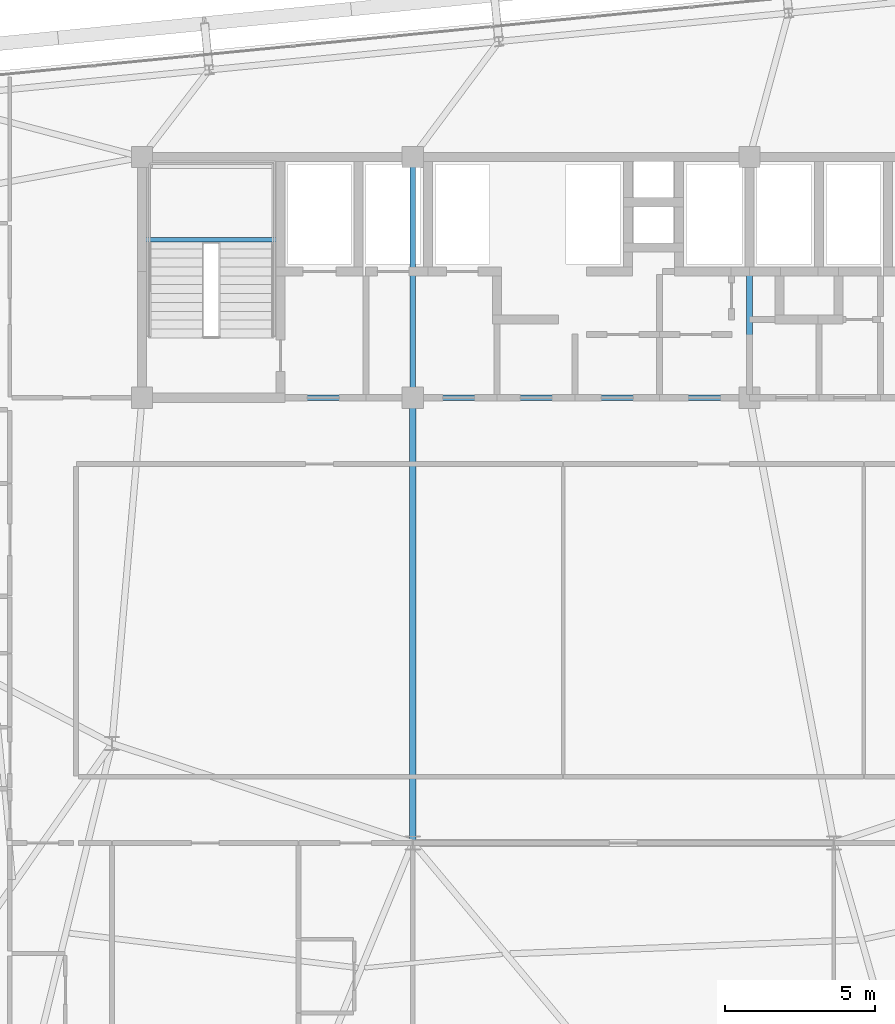
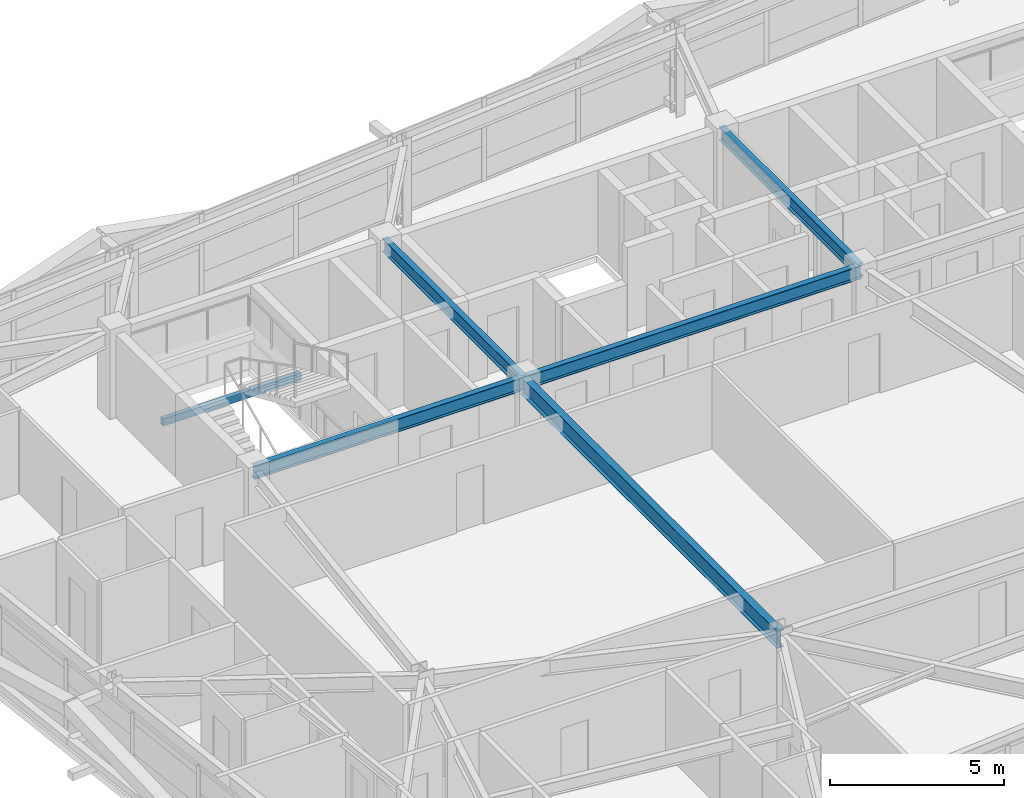
# One storey, part 16 of 53: 6 beams.
"""IFC4 building model written with IfcOpenShell, lengths in metres."""

import ifcopenshell
import ifcopenshell.guid

model = None  # the IFC model being written
_history = None  # IfcOwnerHistory: only IFC2X3 demands one
_inside = {}  # id of a spatial element -> (the spatial element, [elements in it])
_under = {}  # id of a project, library or spatial element -> (it, [spatial elements below it])
_declared = {}  # id of a project -> (the project, [libraries it declares])
_typed = {}  # id of a type object -> (the type object, [elements of that type])
_made_of = {}  # id of a material, layer set ... -> (it, [elements and type objects made of it])


def new_model(schema):
    """Start an empty IFC model of exactly this schema.

    Asked for "IFC4X3", IfcOpenShell would pick the latest addendum, in which some entities
    have other attributes; the version numbers below select the first issue.
    IFC2X3 requires an IfcOwnerHistory on every rooted entity: one is made here for all.
    """
    global model, _history
    if schema == "IFC4X3":
        model = ifcopenshell.file(schema_version=(4, 3, 0, 0))
    else:
        model = ifcopenshell.file(schema=schema)
    _inside.clear()
    _under.clear()
    _declared.clear()
    _typed.clear()
    _made_of.clear()
    _history = None
    if model.schema == "IFC2X3":
        org = make("IfcOrganization", Name="unknown")
        user = make(
            "IfcPersonAndOrganization",
            ThePerson=make("IfcPerson", FamilyName="unknown"),
            TheOrganization=org,
        )
        app = make(
            "IfcApplication",
            ApplicationDeveloper=org,
            Version="unknown",
            ApplicationFullName="unknown",
            ApplicationIdentifier="unknown",
        )
        _history = make(
            "IfcOwnerHistory",
            OwningUser=user,
            OwningApplication=app,
            ChangeAction="ADDED",
            CreationDate=0,
        )
    return model


def make(cls, **values):
    """One entity of the class cls with the attributes given. An attribute that is None is left unset."""
    return model.create_entity(
        cls, **{name: value for name, value in values.items() if value is not None}
    )


def rooted(cls, **values):
    """An entity with a GlobalId (a new one), such as an element, a storey or a relation."""
    return make(cls, GlobalId=ifcopenshell.guid.new(), OwnerHistory=_history, **values)


def si_unit(unit_type, name, prefix=None):
    """IfcSIUnit, for example si_unit("LENGTHUNIT", "METRE", prefix="MILLI")."""
    return make("IfcSIUnit", UnitType=unit_type, Prefix=prefix, Name=name)


def assignment(units):
    """IfcUnitAssignment: the units of a project."""
    return None if units is None else make("IfcUnitAssignment", Units=units)


def point(xyz):
    """IfcCartesianPoint."""
    return None if xyz is None else make("IfcCartesianPoint", Coordinates=xyz)


def direction(xyz):
    """IfcDirection."""
    return None if xyz is None else make("IfcDirection", DirectionRatios=xyz)


def frame(location, z_axis=None, x_axis=None):
    """IfcAxis2Placement3D, a coordinate frame: its origin and axes. An axis left out is left unset."""
    return make(
        "IfcAxis2Placement3D",
        Location=point(location),
        Axis=direction(z_axis),
        RefDirection=direction(x_axis),
    )


def frame_2d(location, x_axis=None):
    """IfcAxis2Placement2D, a coordinate frame in the plane: its origin and x axis."""
    return make(
        "IfcAxis2Placement2D", Location=point(location), RefDirection=direction(x_axis)
    )


def origin():
    """The frame at (0, 0, 0) with its axes left unset."""
    return frame((0.0, 0.0, 0.0))


def origin_2d():
    """The frame at (0, 0) in the plane with its x axis left unset."""
    return frame_2d((0.0, 0.0))


def place(relative_to, where):
    """IfcLocalPlacement: puts the frame where relative to a parent placement (None: the world)."""
    return make(
        "IfcLocalPlacement", PlacementRelTo=relative_to, RelativePlacement=where
    )


def context(
    kind, dimensions, precision=None, world=None, true_north=None, identifier=None
):
    """IfcGeometricRepresentationContext, for example the 3D "Model" context."""
    return make(
        "IfcGeometricRepresentationContext",
        ContextIdentifier=identifier,
        ContextType=kind,
        CoordinateSpaceDimension=dimensions,
        Precision=precision,
        WorldCoordinateSystem=world,
        TrueNorth=true_north,
    )


def subcontext(parent, identifier, kind, view, scale=None):
    """IfcGeometricRepresentationSubContext, for example "Body" below "Model"."""
    return make(
        "IfcGeometricRepresentationSubContext",
        ContextIdentifier=identifier,
        ContextType=kind,
        ParentContext=parent,
        TargetScale=scale,
        TargetView=view,
    )


def project(units=None, contexts=None):
    """IfcProject with its units and contexts."""
    return rooted(
        "IfcProject",
        Name="project",
        RepresentationContexts=contexts,
        UnitsInContext=assignment(units),
    )


def spatial(cls, under=None, at=None, **own):
    """A site, building, storey or space (cls), placed at a placement, below another one or the project."""
    s = rooted(cls, ObjectPlacement=at, **own)
    if under is not None:
        _under.setdefault(under.id(), (under, []))[1].append(s)
    return s


def profile(cls, at=None, kind="AREA", **sizes):
    """A parametric profile (cls). Its sizes go by their IFC names, for example OverallWidth=200.0."""
    return make(cls, ProfileType=kind, Position=at, **sizes)


def hollow_rectangle(**sizes):
    """IfcRectangleHollowProfileDef."""
    return profile("IfcRectangleHollowProfileDef", **sizes)


def i_section(**sizes):
    """IfcIShapeProfileDef."""
    return profile("IfcIShapeProfileDef", **sizes)


def extrude(swept, where, along, depth):
    """IfcExtrudedAreaSolid: the profile swept, set in the frame where, extruded along a direction by depth."""
    return make(
        "IfcExtrudedAreaSolid",
        SweptArea=swept,
        Position=where,
        ExtrudedDirection=direction(along),
        Depth=depth,
    )


def shape(context_of_items, identifier, shape_type, items):
    """IfcShapeRepresentation: the items that make up one representation, for example the "Body"."""
    return make(
        "IfcShapeRepresentation",
        ContextOfItems=context_of_items,
        RepresentationIdentifier=identifier,
        RepresentationType=shape_type,
        Items=items,
    )


def source(mapping_origin, context_of_items, identifier, shape_type, items):
    """IfcRepresentationMap: a shape defined once, which mapped items show again and again."""
    return make(
        "IfcRepresentationMap",
        MappingOrigin=mapping_origin,
        MappedRepresentation=shape(context_of_items, identifier, shape_type, items),
    )


def transform(
    local_origin,
    x_axis=None,
    y_axis=None,
    z_axis=None,
    scale=None,
    scale2=None,
    scale3=None,
    uniform=True,
):
    """IfcCartesianTransformationOperator3D, or its non-uniform kind. x_axis, y_axis, z_axis: its Axis1, 2, 3."""
    if uniform:
        return make(
            "IfcCartesianTransformationOperator3D",
            Axis1=direction(x_axis),
            Axis2=direction(y_axis),
            LocalOrigin=point(local_origin),
            Scale=scale,
            Axis3=direction(z_axis),
        )
    return make(
        "IfcCartesianTransformationOperator3DnonUniform",
        Axis1=direction(x_axis),
        Axis2=direction(y_axis),
        LocalOrigin=point(local_origin),
        Scale=scale,
        Axis3=direction(z_axis),
        Scale2=scale2,
        Scale3=scale3,
    )


def mapped(mapping_source, mapping_target):
    """IfcMappedItem: shows the shape of a source again, moved by a transform."""
    return make(
        "IfcMappedItem", MappingSource=mapping_source, MappingTarget=mapping_target
    )


def material(Name=None, Category=None):
    """IfcMaterial."""
    return make("IfcMaterial", Name=Name, Category=Category)


def material_profile(
    of_material, cross_section, Name=None, Category=None, Priority=None
):
    """IfcMaterialProfile: a cross section and its material."""
    return make(
        "IfcMaterialProfile",
        Name=Name,
        Material=of_material,
        Profile=cross_section,
        Priority=Priority,
        Category=Category,
    )


def profile_set(profiles, Name=None, composite=None):
    """IfcMaterialProfileSet."""
    return make(
        "IfcMaterialProfileSet",
        Name=Name,
        MaterialProfiles=profiles,
        CompositeProfile=composite,
    )


def made_of(thing, what):
    """Note that an element or type object is made of a material, layer set ...; save() writes the relation."""
    if what is not None:
        _made_of.setdefault(what.id(), (what, []))[1].append(thing)
    return thing


def type_object(cls, material=None, **own):
    """A type object (cls), such as IfcWallType, which elements share."""
    return made_of(rooted(cls, **own), material)


def element(
    cls,
    number,
    at=None,
    inside=None,
    cuts=None,
    type_object=None,
    material=None,
    context=None,
    identifier="Body",
    shape_type=None,
    held_by="IfcProductDefinitionShape",
    body=None,
    shapes=None,
    **own,
):
    """One element of the class cls, such as IfcWall. Its Tag is "e" and its number.

    at: its placement. inside: the storey or other place that contains it. cuts: it is an
    opening in that element (IfcRelVoidsElement). A single representation is given by context,
    identifier, shape_type and body (its items); several are given by shapes. held_by: the class
    of the entity that holds the representations. save() writes the other relations.
    """
    e = rooted(cls, Tag="e%d" % number, ObjectPlacement=at, **own)
    if body is not None:
        shapes = [shape(context, identifier, shape_type, body)]
    if shapes is not None:
        e.Representation = make(held_by, Representations=shapes)
    if inside is not None:
        _inside.setdefault(inside.id(), (inside, []))[1].append(e)
    if cuts is not None:
        rooted(
            "IfcRelVoidsElement", RelatingBuildingElement=cuts, RelatedOpeningElement=e
        )
    if type_object is not None:
        _typed.setdefault(type_object.id(), (type_object, []))[1].append(e)
    return made_of(e, material)


def aggregate(whole, parts):
    """IfcRelAggregates: a whole, such as a stair, and the parts it consists of."""
    return rooted("IfcRelAggregates", RelatingObject=whole, RelatedObjects=parts)


def save(model, path):
    """Write the relations noted so far, then the file.

    IfcRelAggregates (storeys below a building ...), IfcRelContainedInSpatialStructure (elements
    in a storey), IfcRelDefinesByType, IfcRelAssociatesMaterial and IfcRelDeclares: one each for
    every whole, place, type object, material and project.
    """
    for whole, parts in _under.values():
        aggregate(whole, parts)
    for where, things in _inside.values():
        rooted(
            "IfcRelContainedInSpatialStructure",
            RelatedElements=things,
            RelatingStructure=where,
        )
    for kind, things in _typed.values():
        rooted("IfcRelDefinesByType", RelatedObjects=things, RelatingType=kind)
    for what, things in _made_of.values():
        rooted("IfcRelAssociatesMaterial", RelatedObjects=things, RelatingMaterial=what)
    for by, libraries in _declared.values():
        rooted("IfcRelDeclares", RelatingContext=by, RelatedDefinitions=libraries)
    model.write(path)


model = new_model("IFC4")

# Units and contexts
model_context = context("Model", 3, precision=1e-05, world=origin(), true_north=direction((0.0, 1.0)))
body_context = subcontext(model_context, "Body", "Model", "MODEL_VIEW")
ifc_project = project(units=[si_unit("LENGTHUNIT", "METRE"), si_unit("AREAUNIT", "SQUARE_METRE"), si_unit("VOLUMEUNIT", "CUBIC_METRE"), si_unit("PLANEANGLEUNIT", "RADIAN"), si_unit("MASSUNIT", "GRAM", prefix="KILO")], contexts=[model_context])

# Site, building, storey
site_placement = place(None, origin())
site = spatial("IfcSite", under=ifc_project, at=site_placement, CompositionType="ELEMENT")
building_placement = place(site_placement, origin())
building = spatial("IfcBuilding", under=site, at=building_placement, Name="Taldren Reach Tower", CompositionType="ELEMENT")
storey_placement = place(building_placement, frame((0.0, 0.0, 80.85009765625)))
storey = spatial("IfcBuildingStorey", under=building, at=storey_placement, Name="L24", CompositionType="ELEMENT", Elevation=80.85009765625)

# Beams
ifc_material_1 = material(Name="Steel Gr 350 (350PLUS)", Category="steel")
ifc_material_profile_1 = material_profile(ifc_material_1, i_section(OverallWidth=0.19091796875, OverallDepth=0.4599609375, WebThickness=0.010009765625, FlangeThickness=0.01611328125, at=origin_2d()), Name="460UB82.1")
ifc_profile_set_1 = profile_set([ifc_material_profile_1], Name="Steel Gr 350 (350PLUS)")
beam_type_1 = type_object("IfcBeamType", Name="BM-UB460A", PredefinedType="BEAM", material=ifc_profile_set_1)
shared_shape_1 = source(origin(), body_context, "Body", "SweptSolid", [
    extrude(i_section(OverallWidth=0.19091796875, OverallDepth=0.4599609375, WebThickness=0.010009765625, FlangeThickness=0.01611328125, at=origin_2d()), origin(), (0.0, 0.0, 1.0), 9.0),
])
beam_1_placement = place(storey_placement, frame((19.0, 24.0, 2.699951171875), z_axis=(1.0, 0.0, 0.0), x_axis=(0.0, 1.0, 0.0)))
element("IfcBeam", 1, at=beam_1_placement, inside=storey, type_object=beam_type_1, Name="Core-spine girder L24-SP01", PredefinedType="BEAM", context=body_context, shape_type="MappedRepresentation", body=[
    mapped(shared_shape_1, transform((0.0, 0.0, 0.0), scale=1.0)),
])
shared_shape_2 = source(origin(), body_context, "Body", "SweptSolid", [
    extrude(i_section(OverallWidth=0.19091796875, OverallDepth=0.4599609375, WebThickness=0.010009765625, FlangeThickness=0.01611328125, at=origin_2d()), origin(), (0.0, 0.0, 1.0), 11.199951171875),
])
beam_2_placement = place(storey_placement, frame((28.0, 24.0, 2.699951171875), z_axis=(1.0, 0.0, 0.0), x_axis=(0.0, 1.0, 0.0)))
element("IfcBeam", 2, at=beam_2_placement, inside=storey, type_object=beam_type_1, Name="Core-spine girder L24-SP02", PredefinedType="BEAM", context=body_context, shape_type="MappedRepresentation", body=[
    mapped(shared_shape_2, transform((0.0, 0.0, 0.0), scale=1.0)),
])
shared_shape_3 = source(origin(), body_context, "Body", "SweptSolid", [
    extrude(i_section(OverallWidth=0.19091796875, OverallDepth=0.4599609375, WebThickness=0.010009765625, FlangeThickness=0.01611328125, at=origin_2d()), origin(), (0.0, 0.0, 1.0), 8.0),
])
for number, where, z_axis, x_axis, name in (
    (3, (28.0, 24.0, 2.699951171875), (0.0, 1.0, 0.0), (-1.0, 0.0, 0.0), "Core-spine girder L24-SP07"),
    (4, (39.199951171875, 24.0, 2.699951171875), (0.0, 1.0, 0.0), (-1.0, 0.0, 0.0), "Core-spine girder L24-SP08"),
):
    element("IfcBeam", number, at=place(storey_placement, frame(where, z_axis=z_axis, x_axis=x_axis)), inside=storey, type_object=beam_type_1, Name=name, PredefinedType="BEAM", context=body_context, shape_type="MappedRepresentation", body=[
        mapped(shared_shape_3, transform((0.0, 0.0, 0.0), scale=1.0)),
    ])
ifc_material_profile_2 = material_profile(ifc_material_1, i_section(OverallWidth=0.22802734375, OverallDepth=0.60205078125, WebThickness=0.010498046875, FlangeThickness=0.014892578125, at=origin_2d()), Name="610UB101")
ifc_profile_set_2 = profile_set([ifc_material_profile_2], Name="Steel Gr 350 (350PLUS)")
beam_type_2 = type_object("IfcBeamType", Name="BM-UB610B", PredefinedType="BEAM", material=ifc_profile_set_2)
shared_shape_4 = source(origin(), body_context, "Body", "SweptSolid", [
    extrude(i_section(OverallWidth=0.22802734375, OverallDepth=0.60205078125, WebThickness=0.010498046875, FlangeThickness=0.014892578125, at=origin_2d()), origin(), (0.0, 0.0, 1.0), 14.800048828125),
])
beam_3_placement = place(storey_placement, frame((28.0, 24.0, 2.62890625), z_axis=(0.0, -1.0, 0.0), x_axis=(1.0, 0.0, 0.0)))
element("IfcBeam", 5, at=beam_3_placement, inside=storey, type_object=beam_type_2, Name="Core-spine girder L24-SP14", PredefinedType="BEAM", context=body_context, shape_type="MappedRepresentation", body=[
    mapped(shared_shape_4, transform((0.0, 0.0, 0.0), scale=1.0)),
])
ifc_material_2 = material(Name="Steel Gr 350 (C350L0)", Category="steel")
ifc_material_profile_3 = material_profile(ifc_material_2, hollow_rectangle(XDim=0.14990234375, YDim=0.25, WallThickness=0.009033203125, at=origin_2d()), Name="250x150x9.0RHS")
ifc_profile_set_3 = profile_set([ifc_material_profile_3], Name="Steel Gr 350 (C350L0)")
beam_type_3 = type_object("IfcBeamType", Name="LN-RHS250", PredefinedType="LINTEL", material=ifc_profile_set_3)
shared_shape_5 = source(origin(), body_context, "Body", "SweptSolid", [
    extrude(hollow_rectangle(XDim=0.14990234375, YDim=0.25, WallThickness=0.009033203125, at=origin_2d()), origin(), (0.0, 0.0, 1.0), 4.60009765625),
])
beam_4_placement = place(storey_placement, frame((19.0, 29.2548828125, 1.27001953125), z_axis=(1.0, 0.0, 0.0), x_axis=(0.0, 1.0, 0.0)))
element("IfcBeam", 6, at=beam_4_placement, inside=storey, type_object=beam_type_3, Name="Stair half-landing support beam ST1-L24-1", PredefinedType="LINTEL", context=body_context, shape_type="MappedRepresentation", body=[
    mapped(shared_shape_5, transform((0.0, 0.0, 0.0), scale=1.0)),
])

save(model, "model.ifc")
